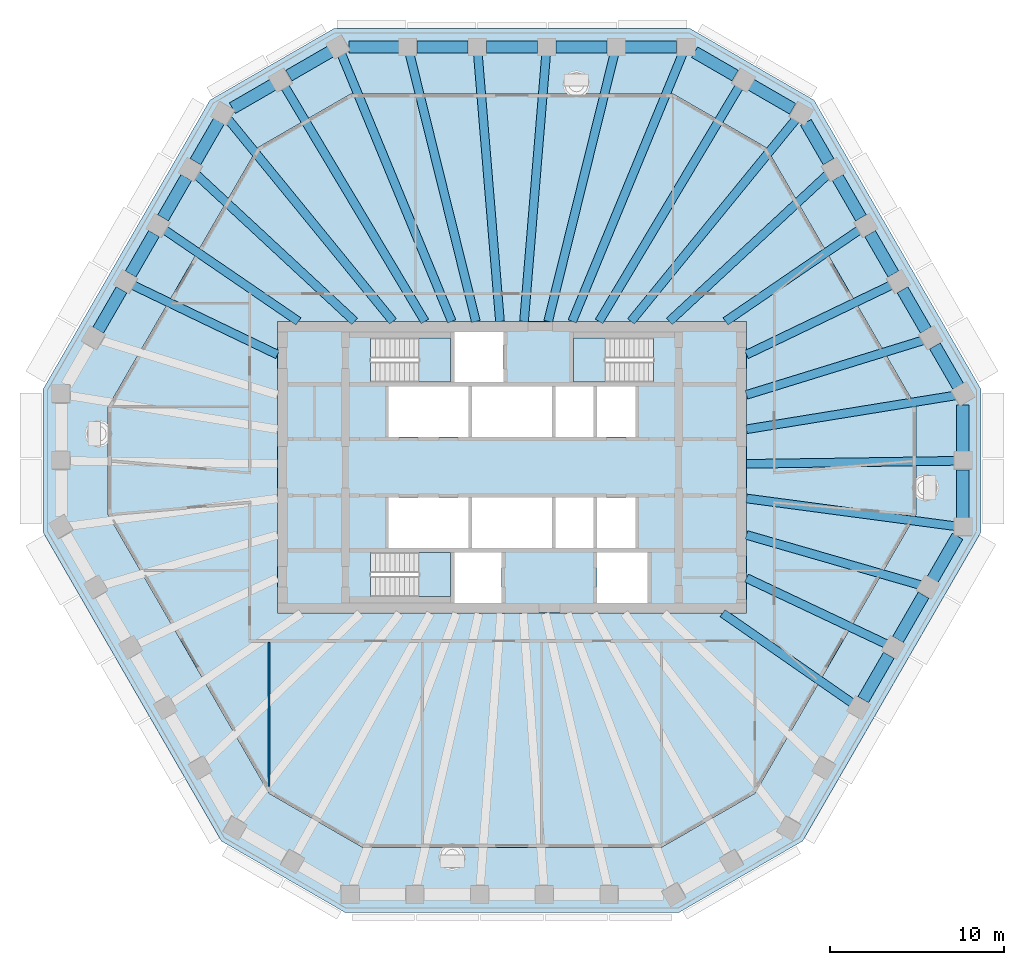
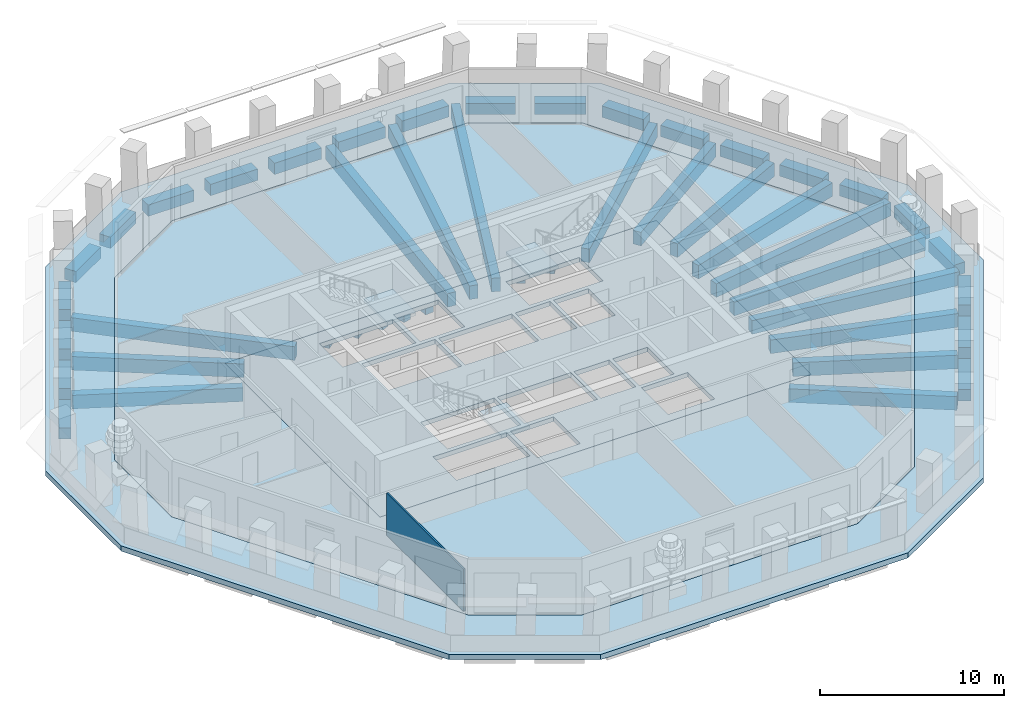
# One storey, part 2 of 12: 46 beams, 6 slabs, 1 wall, 3 elements without a shape of their own.
"""IFC4 building model written with IfcOpenShell, lengths in metres."""

from ifc_helpers import new_model, si_unit, direction, frame, frame_2d, origin, origin_2d, place, context, subcontext, project, spatial, polyline, rectangle, outline, extrude, material, layer, layer_set, material_profile, profile_set, type_object, element, aggregate, save


model = new_model("IFC4")

# Units and contexts
model_context = context("Model", 3, precision=1e-05, world=origin(), true_north=direction((0.0, 1.0)))
body_context = subcontext(model_context, "Body", "Model", "MODEL_VIEW")
ifc_project = project(units=[si_unit("LENGTHUNIT", "METRE"), si_unit("AREAUNIT", "SQUARE_METRE"), si_unit("VOLUMEUNIT", "CUBIC_METRE"), si_unit("PLANEANGLEUNIT", "RADIAN"), si_unit("MASSUNIT", "GRAM", prefix="KILO")], contexts=[model_context])

# Site, building, storey
site_placement = place(None, origin())
site = spatial("IfcSite", under=ifc_project, at=site_placement, CompositionType="ELEMENT")
building_placement = place(site_placement, origin())
building = spatial("IfcBuilding", under=site, at=building_placement, Name="Frailejon Research Tower", CompositionType="ELEMENT")
storey_placement = place(building_placement, frame((0.0, 0.0, 223.39990234375)))
storey = spatial("IfcBuildingStorey", under=building, at=storey_placement, Name="L48", CompositionType="ELEMENT", Elevation=223.39990234375)

# Beams
ifc_material_1 = material(Name="Concrete C60/75", Category="concrete")
ifc_material_profile_1 = material_profile(ifc_material_1, rectangle(XDim=0.5, YDim=0.89990234375, at=origin_2d()), Name="Girder 500x900")
ifc_profile_set_1 = profile_set([ifc_material_profile_1], Name="Concrete C60/75")
beam_type_1 = type_object("IfcBeamType", Name="Girder 500x900", PredefinedType="BEAM", material=ifc_profile_set_1)
beam_1_placement = place(storey_placement, frame((25.57568359375, -3.399658203125, -0.75), z_axis=(-0.991280157753, 0.131771198844, 0.0), x_axis=(-0.131771198844, -0.991280157753, 0.0)))
element("IfcBeam", 1, at=beam_1_placement, inside=storey, type_object=beam_type_1, Name="Girder 500x900", PredefinedType="BEAM", context=body_context, shape_type="SweptSolid", body=[
    extrude(rectangle(XDim=0.5, YDim=0.89990234375, at=origin_2d()), origin(), (0.0, 0.0, 1.0), 12.181884765625),
])
beam_2_placement = place(storey_placement, frame((25.5771484375, 0.37158203125, -0.75), z_axis=(-0.999894682249, -0.014512904946, 0.0), x_axis=(0.014512904946, -0.999894682249, 0.0)))
element("IfcBeam", 2, at=beam_2_placement, inside=storey, type_object=beam_type_1, Name="Girder 500x900", PredefinedType="BEAM", context=body_context, shape_type="SweptSolid", body=[
    extrude(rectangle(XDim=0.5, YDim=0.89990234375, at=origin_2d()), origin(), (0.0, 0.0, 1.0), 12.078369140625),
])
beam_3_placement = place(storey_placement, frame((25.5458984375, 4.137939453125, -0.75), z_axis=(-0.9871341691, -0.15989412808, 0.0), x_axis=(0.15989412808, -0.9871341691, 0.0)))
element("IfcBeam", 3, at=beam_3_placement, inside=storey, type_object=beam_type_1, Name="Girder 500x900", PredefinedType="BEAM", context=body_context, shape_type="SweptSolid", body=[
    extrude(rectangle(XDim=0.5, YDim=0.89990234375, at=origin_2d()), origin(), (0.0, 0.0, 1.0), 12.202880859375),
])
beam_4_placement = place(storey_placement, frame((23.7138671875, 7.322998046875, -0.75), z_axis=(-0.955480751245, -0.295053442617, 0.0), x_axis=(0.295053442617, -0.955480751245, 0.0)))
element("IfcBeam", 4, at=beam_4_placement, inside=storey, type_object=beam_type_1, Name="Girder 500x900", PredefinedType="BEAM", context=body_context, shape_type="SweptSolid", body=[
    extrude(rectangle(XDim=0.5, YDim=0.89990234375, at=origin_2d()), origin(), (0.0, 0.0, 1.0), 10.689697265625),
])
beam_5_placement = place(storey_placement, frame((21.87841796875, 10.508544921875, -0.75), z_axis=(-0.901416870957, -0.432952219943, 0.0), x_axis=(0.432952219943, -0.901416870957, 0.0)))
element("IfcBeam", 5, at=beam_5_placement, inside=storey, type_object=beam_type_1, Name="Girder 500x900", PredefinedType="BEAM", context=body_context, shape_type="SweptSolid", body=[
    extrude(rectangle(XDim=0.5, YDim=0.89990234375, at=origin_2d()), origin(), (0.0, 0.0, 1.0), 9.294677734375),
])
beam_6_placement = place(storey_placement, frame((20.0400390625, 13.693115234375, -0.75), z_axis=(-0.825658782767, -0.564169809933, 0.0), x_axis=(0.564169809933, -0.825658782767, 0.0)))
element("IfcBeam", 6, at=beam_6_placement, inside=storey, type_object=beam_type_1, Name="Girder 500x900", PredefinedType="BEAM", context=body_context, shape_type="SweptSolid", body=[
    extrude(rectangle(XDim=0.5, YDim=0.89990234375, at=origin_2d()), origin(), (0.0, 0.0, 1.0), 9.38232421875),
])
beam_7_placement = place(storey_placement, frame((18.198974609375, 16.875244140625, -0.75), z_axis=(-0.733270464991, -0.679937074421, 0.0), x_axis=(0.679937074421, -0.733270464991, 0.0)))
element("IfcBeam", 7, at=beam_7_placement, inside=storey, type_object=beam_type_1, Name="Girder 500x900", PredefinedType="BEAM", context=body_context, shape_type="SweptSolid", body=[
    extrude(rectangle(XDim=0.5, YDim=0.89990234375, at=origin_2d()), origin(), (0.0, 0.0, 1.0), 12.46484375),
])
beam_8_placement = place(storey_placement, frame((16.37548828125, 20.077392578125, -0.75), z_axis=(-0.632048647707, -0.774928710871, 0.0), x_axis=(0.774928710871, -0.632048647707, 0.0)))
element("IfcBeam", 8, at=beam_8_placement, inside=storey, type_object=beam_type_1, Name="Girder 500x900", PredefinedType="BEAM", context=body_context, shape_type="SweptSolid", body=[
    extrude(rectangle(XDim=0.5, YDim=0.89990234375, at=origin_2d()), origin(), (0.0, 0.0, 1.0), 15.069091796875),
])
beam_9_placement = place(storey_placement, frame((13.110595703125, 21.964599609375, -0.75), z_axis=(-0.512533051632, -0.858667497338, 0.0), x_axis=(0.858667497338, -0.512533051632, 0.0)))
element("IfcBeam", 9, at=beam_9_placement, inside=storey, type_object=beam_type_1, Name="Girder 500x900", PredefinedType="BEAM", context=body_context, shape_type="SweptSolid", body=[
    extrude(rectangle(XDim=0.5, YDim=0.89990234375, at=origin_2d()), origin(), (0.0, 0.0, 1.0), 15.79736328125),
])
beam_10_placement = place(storey_placement, frame((9.8291015625, 23.813720703125, -0.75), z_axis=(-0.381528759738, -0.92435696865, 0.0), x_axis=(0.92435696865, -0.381528759738, 0.0)))
element("IfcBeam", 10, at=beam_10_placement, inside=storey, type_object=beam_type_1, Name="Girder 500x900", PredefinedType="BEAM", context=body_context, shape_type="SweptSolid", body=[
    extrude(rectangle(XDim=0.5, YDim=0.89990234375, at=origin_2d()), origin(), (0.0, 0.0, 1.0), 16.67529296875),
])
beam_11_placement = place(storey_placement, frame((5.899169921875, 23.820556640625, -0.75), z_axis=(-0.240383532983, -0.970677988352, 0.0), x_axis=(0.970677988352, -0.240383532983, 0.0)))
element("IfcBeam", 11, at=beam_11_placement, inside=storey, type_object=beam_type_1, Name="Girder 500x900", PredefinedType="BEAM", context=body_context, shape_type="SweptSolid", body=[
    extrude(rectangle(XDim=0.5, YDim=0.89990234375, at=origin_2d()), origin(), (0.0, 0.0, 1.0), 15.886474609375),
])
for number, where, z_axis, x_axis, name in (
    (12, (1.966796875, 23.824462890625, -0.75), (-0.082279146977, -0.99660932264, 0.0), (0.99660932264, -0.082279146977, 0.0), "Girder 500x900"),
    (13, (-1.966796875, 23.824462890625, -0.75), (0.082279146977, -0.99660932264, 0.0), (0.99660932264, 0.082279146977, 0.0), "Girder 500x900"),
):
    element("IfcBeam", number, at=place(storey_placement, frame(where, z_axis=z_axis, x_axis=x_axis)), inside=storey, type_object=beam_type_1, Name=name, PredefinedType="BEAM", context=body_context, shape_type="SweptSolid", body=[
        extrude(rectangle(XDim=0.5, YDim=0.89990234375, at=origin_2d()), origin(), (0.0, 0.0, 1.0), 15.47705078125),
    ])
beam_12_placement = place(storey_placement, frame((-5.899169921875, 23.820556640625, -0.75), z_axis=(0.240383532983, -0.970677988352, 0.0), x_axis=(0.970677988352, 0.240383532983, 0.0)))
element("IfcBeam", 14, at=beam_12_placement, inside=storey, type_object=beam_type_1, Name="Girder 500x900", PredefinedType="BEAM", context=body_context, shape_type="SweptSolid", body=[
    extrude(rectangle(XDim=0.5, YDim=0.89990234375, at=origin_2d()), origin(), (0.0, 0.0, 1.0), 15.886474609375),
])
beam_13_placement = place(storey_placement, frame((-9.84375, 23.84912109375, -0.75), z_axis=(0.381530646677, -0.924356189813, 0.0), x_axis=(0.924356189813, 0.381530646677, 0.0)))
element("IfcBeam", 15, at=beam_13_placement, inside=storey, type_object=beam_type_1, Name="Girder 500x900", PredefinedType="BEAM", context=body_context, shape_type="SweptSolid", body=[
    extrude(rectangle(XDim=0.5, YDim=0.89990234375, at=origin_2d()), origin(), (0.0, 0.0, 1.0), 16.71337890625),
])
beam_14_placement = place(storey_placement, frame((-13.110595703125, 21.964599609375, -0.75), z_axis=(0.512533051632, -0.858667497338, 0.0), x_axis=(0.858667497338, 0.512533051632, 0.0)))
element("IfcBeam", 16, at=beam_14_placement, inside=storey, type_object=beam_type_1, Name="Girder 500x900", PredefinedType="BEAM", context=body_context, shape_type="SweptSolid", body=[
    extrude(rectangle(XDim=0.5, YDim=0.89990234375, at=origin_2d()), origin(), (0.0, 0.0, 1.0), 15.79736328125),
])
beam_15_placement = place(storey_placement, frame((-16.356689453125, 20.05419921875, -0.75), z_axis=(0.632053366531, -0.774924862071, 0.0), x_axis=(0.774924862071, 0.632053366531, 0.0)))
element("IfcBeam", 17, at=beam_15_placement, inside=storey, type_object=beam_type_1, Name="Girder 500x900", PredefinedType="BEAM", context=body_context, shape_type="SweptSolid", body=[
    extrude(rectangle(XDim=0.5, YDim=0.89990234375, at=origin_2d()), origin(), (0.0, 0.0, 1.0), 15.039306640625),
])
beam_16_placement = place(storey_placement, frame((-18.198974609375, 16.875244140625, -0.75), z_axis=(0.733270464991, -0.679937074421, 0.0), x_axis=(0.679937074421, 0.733270464991, 0.0)))
element("IfcBeam", 18, at=beam_16_placement, inside=storey, type_object=beam_type_1, Name="Girder 500x900", PredefinedType="BEAM", context=body_context, shape_type="SweptSolid", body=[
    extrude(rectangle(XDim=0.5, YDim=0.89990234375, at=origin_2d()), origin(), (0.0, 0.0, 1.0), 12.46484375),
])
beam_17_placement = place(storey_placement, frame((-20.0400390625, 13.693115234375, -0.75), z_axis=(0.825658782767, -0.564169809933, 0.0), x_axis=(0.564169809933, 0.825658782767, 0.0)))
element("IfcBeam", 19, at=beam_17_placement, inside=storey, type_object=beam_type_1, Name="Girder 500x900", PredefinedType="BEAM", context=body_context, shape_type="SweptSolid", body=[
    extrude(rectangle(XDim=0.5, YDim=0.89990234375, at=origin_2d()), origin(), (0.0, 0.0, 1.0), 9.38232421875),
])
beam_18_placement = place(storey_placement, frame((-21.87841796875, 10.508544921875, -0.75), z_axis=(0.901416870957, -0.432952219943, 0.0), x_axis=(0.432952219943, 0.901416870957, 0.0)))
element("IfcBeam", 20, at=beam_18_placement, inside=storey, type_object=beam_type_1, Name="Girder 500x900", PredefinedType="BEAM", context=body_context, shape_type="SweptSolid", body=[
    extrude(rectangle(XDim=0.5, YDim=0.89990234375, at=origin_2d()), origin(), (0.0, 0.0, 1.0), 9.294677734375),
])
beam_19_placement = place(storey_placement, frame((19.6494140625, -13.615478515625, -0.75), z_axis=(-0.82195313157, 0.569555132979, 0.0), x_axis=(-0.569555132979, -0.82195313157, 0.0)))
element("IfcBeam", 21, at=beam_19_placement, inside=storey, type_object=beam_type_1, Name="Girder 500x900", PredefinedType="BEAM", context=body_context, shape_type="SweptSolid", body=[
    extrude(rectangle(XDim=0.5, YDim=0.89990234375, at=origin_2d()), origin(), (0.0, 0.0, 1.0), 9.1572265625),
])
beam_20_placement = place(storey_placement, frame((21.615966796875, -10.208984375, -0.75), z_axis=(-0.904228515604, 0.427048933459, 0.0), x_axis=(-0.427048933459, -0.904228515604, 0.0)))
element("IfcBeam", 22, at=beam_20_placement, inside=storey, type_object=beam_type_1, Name="Girder 500x900", PredefinedType="BEAM", context=body_context, shape_type="SweptSolid", body=[
    extrude(rectangle(XDim=0.5, YDim=0.89990234375, at=origin_2d()), origin(), (0.0, 0.0, 1.0), 8.9755859375),
])
beam_21_placement = place(storey_placement, frame((23.578857421875, -6.801513671875, -0.75), z_axis=(-0.960827047664, 0.277148668546, 0.0), x_axis=(-0.277148668546, -0.960827047664, 0.0)))
element("IfcBeam", 23, at=beam_21_placement, inside=storey, type_object=beam_type_1, Name="Girder 500x900", PredefinedType="BEAM", context=body_context, shape_type="SweptSolid", body=[
    extrude(rectangle(XDim=0.5, YDim=0.89990234375, at=origin_2d()), origin(), (0.0, 0.0, 1.0), 10.48974609375),
])
ifc_material_2 = material(Name="Concrete C60/75", Category="concrete")
ifc_material_profile_2 = material_profile(ifc_material_2, rectangle(XDim=0.699951171875, YDim=0.75, at=origin_2d()), Name="Spandrel 700x750")
ifc_profile_set_2 = profile_set([ifc_material_profile_2], Name="Concrete C60/75")
beam_type_2 = type_object("IfcBeamType", Name="Spandrel 700x750", PredefinedType="BEAM", material=ifc_profile_set_2)
beam_22_placement = place(storey_placement, frame((25.9521484375, -2.924560546875, -0.724853515625), z_axis=(0.0, 1.0, 0.0), x_axis=(-1.0, 0.0, 0.0)))
element("IfcBeam", 24, at=beam_22_placement, inside=storey, type_object=beam_type_2, Name="Spandrel 700x750", PredefinedType="BEAM", context=body_context, shape_type="SweptSolid", body=[
    extrude(rectangle(XDim=0.699951171875, YDim=0.75, at=origin_2d()), origin(), (0.0, 0.0, 1.0), 2.776611328125),
])
beam_23_placement = place(storey_placement, frame((25.9521484375, 0.902099609375, -0.724853515625), z_axis=(0.0, 1.0, 0.0), x_axis=(-1.0, 0.0, 0.0)))
element("IfcBeam", 25, at=beam_23_placement, inside=storey, type_object=beam_type_2, Name="Spandrel 700x750", PredefinedType="BEAM", context=body_context, shape_type="SweptSolid", body=[
    extrude(rectangle(XDim=0.699951171875, YDim=0.75, at=origin_2d()), origin(), (0.0, 0.0, 1.0), 2.695556640625),
])
for number, where, z_axis, x_axis, name in (
    (26, (25.689697265625, 4.658447265625, -0.724853515625), (-0.500071494993, 0.865984122196, 0.0), (-0.865984122196, -0.500071494993, 0.0), "Spandrel 700x750"),
    (27, (23.822509765625, 7.892333984375, -0.724853515625), (-0.500003280469, 0.866023509796, 0.0), (-0.866023509796, -0.500003280469, 0.0), "Spandrel 700x750"),
    (28, (21.955322265625, 11.126220703125, -0.724853515625), (-0.500003280469, 0.866023509796, 0.0), (-0.866023509796, -0.500003280469, 0.0), "Spandrel 700x750"),
):
    element("IfcBeam", number, at=place(storey_placement, frame(where, z_axis=z_axis, x_axis=x_axis)), inside=storey, type_object=beam_type_2, Name=name, PredefinedType="BEAM", context=body_context, shape_type="SweptSolid", body=[
        extrude(rectangle(XDim=0.699951171875, YDim=0.75, at=origin_2d()), origin(), (0.0, 0.0, 1.0), 2.68408203125),
    ])
beam_24_placement = place(storey_placement, frame((20.08837890625, 14.360107421875, -0.724853515625), z_axis=(-0.49996389635, 0.866046247233, 0.0), x_axis=(-0.866046247233, -0.49996389635, 0.0)))
element("IfcBeam", 29, at=beam_24_placement, inside=storey, type_object=beam_type_2, Name="Spandrel 700x750", PredefinedType="BEAM", context=body_context, shape_type="SweptSolid", body=[
    extrude(rectangle(XDim=0.699951171875, YDim=0.75, at=origin_2d()), origin(), (0.0, 0.0, 1.0), 2.684326171875),
])
beam_25_placement = place(storey_placement, frame((18.22119140625, 17.593994140625, -0.724853515625), z_axis=(-0.499911899498, 0.866076262658, 0.0), x_axis=(-0.866076262658, -0.499911899498, 0.0)))
element("IfcBeam", 30, at=beam_25_placement, inside=storey, type_object=beam_type_2, Name="Spandrel 700x750", PredefinedType="BEAM", context=body_context, shape_type="SweptSolid", body=[
    extrude(rectangle(XDim=0.699951171875, YDim=0.75, at=origin_2d()), origin(), (0.0, 0.0, 1.0), 2.60302734375),
])
beam_26_placement = place(storey_placement, frame((16.162109375, 20.6357421875, -0.724853515625), z_axis=(-0.866021602438, 0.500006584067, 0.0), x_axis=(-0.500006584067, -0.866021602438, 0.0)))
element("IfcBeam", 31, at=beam_26_placement, inside=storey, type_object=beam_type_2, Name="Spandrel 700x750", PredefinedType="BEAM", context=body_context, shape_type="SweptSolid", body=[
    extrude(rectangle(XDim=0.699951171875, YDim=0.75, at=origin_2d()), origin(), (0.0, 0.0, 1.0), 2.77685546875),
])
beam_27_placement = place(storey_placement, frame((12.847900390625, 22.549072265625, -0.724853515625), z_axis=(-0.86598798235, 0.500064810224, 0.0), x_axis=(-0.500064810224, -0.86598798235, 0.0)))
element("IfcBeam", 32, at=beam_27_placement, inside=storey, type_object=beam_type_2, Name="Spandrel 700x750", PredefinedType="BEAM", context=body_context, shape_type="SweptSolid", body=[
    extrude(rectangle(XDim=0.699951171875, YDim=0.75, at=origin_2d()), origin(), (0.0, 0.0, 1.0), 2.695556640625),
])
beam_28_placement = place(storey_placement, frame((9.463623046875, 24.199951171875, -0.724853515625), z_axis=(-1.0, 0.0, 0.0), x_axis=(0.0, -1.0, 0.0)))
element("IfcBeam", 33, at=beam_28_placement, inside=storey, type_object=beam_type_2, Name="Spandrel 700x750", PredefinedType="BEAM", context=body_context, shape_type="SweptSolid", body=[
    extrude(rectangle(XDim=0.699951171875, YDim=0.75, at=origin_2d()), origin(), (0.0, 0.0, 1.0), 2.9453125),
])
beam_29_placement = place(storey_placement, frame((5.46826171875, 24.199951171875, -0.724853515625), z_axis=(-1.0, 0.0, 0.0), x_axis=(0.0, -1.0, 0.0)))
element("IfcBeam", 34, at=beam_29_placement, inside=storey, type_object=beam_type_2, Name="Spandrel 700x750", PredefinedType="BEAM", context=body_context, shape_type="SweptSolid", body=[
    extrude(rectangle(XDim=0.699951171875, YDim=0.75, at=origin_2d()), origin(), (0.0, 0.0, 1.0), 2.945556640625),
])
beam_30_placement = place(storey_placement, frame((1.47265625, 24.199951171875, -0.724853515625), z_axis=(-1.0, 0.0, 0.0), x_axis=(0.0, -1.0, 0.0)))
element("IfcBeam", 35, at=beam_30_placement, inside=storey, type_object=beam_type_2, Name="Spandrel 700x750", PredefinedType="BEAM", context=body_context, shape_type="SweptSolid", body=[
    extrude(rectangle(XDim=0.699951171875, YDim=0.75, at=origin_2d()), origin(), (0.0, 0.0, 1.0), 2.9453125),
])
beam_31_placement = place(storey_placement, frame((-2.522705078125, 24.199951171875, -0.724853515625), z_axis=(-1.0, 0.0, 0.0), x_axis=(0.0, -1.0, 0.0)))
element("IfcBeam", 36, at=beam_31_placement, inside=storey, type_object=beam_type_2, Name="Spandrel 700x750", PredefinedType="BEAM", context=body_context, shape_type="SweptSolid", body=[
    extrude(rectangle(XDim=0.699951171875, YDim=0.75, at=origin_2d()), origin(), (0.0, 0.0, 1.0), 2.945556640625),
])
beam_32_placement = place(storey_placement, frame((-6.518310546875, 24.199951171875, -0.724853515625), z_axis=(-1.0, 0.0, 0.0), x_axis=(0.0, -1.0, 0.0)))
element("IfcBeam", 37, at=beam_32_placement, inside=storey, type_object=beam_type_2, Name="Spandrel 700x750", PredefinedType="BEAM", context=body_context, shape_type="SweptSolid", body=[
    extrude(rectangle(XDim=0.699951171875, YDim=0.75, at=origin_2d()), origin(), (0.0, 0.0, 1.0), 2.864013671875),
])
beam_33_placement = place(storey_placement, frame((-10.443359375, 23.9375, -0.724853515625), z_axis=(-0.865999619105, -0.500044657716, 0.0), x_axis=(0.500044657716, -0.865999619105, 0.0)))
element("IfcBeam", 38, at=beam_33_placement, inside=storey, type_object=beam_type_2, Name="Spandrel 700x750", PredefinedType="BEAM", context=body_context, shape_type="SweptSolid", body=[
    extrude(rectangle(XDim=0.699951171875, YDim=0.75, at=origin_2d()), origin(), (0.0, 0.0, 1.0), 2.776611328125),
])
beam_34_placement = place(storey_placement, frame((-13.75732421875, 22.024169921875, -0.724853515625), z_axis=(-0.866049846835, -0.499957661005, 0.0), x_axis=(0.499957661005, -0.866049846835, 0.0)))
element("IfcBeam", 39, at=beam_34_placement, inside=storey, type_object=beam_type_2, Name="Spandrel 700x750", PredefinedType="BEAM", context=body_context, shape_type="SweptSolid", body=[
    extrude(rectangle(XDim=0.699951171875, YDim=0.75, at=origin_2d()), origin(), (0.0, 0.0, 1.0), 2.695556640625),
])
for number, where, z_axis, x_axis, name in (
    (40, (-16.879150390625, 19.918701171875, -0.724853515625), (-0.49996389635, -0.866046247233, 0.0), (0.866046247233, -0.49996389635, 0.0), "Spandrel 700x750"),
    (41, (-18.746337890625, 16.684814453125, -0.724853515625), (-0.49996389635, -0.866046247233, 0.0), (0.866046247233, -0.49996389635, 0.0), "Spandrel 700x750"),
):
    element("IfcBeam", number, at=place(storey_placement, frame(where, z_axis=z_axis, x_axis=x_axis)), inside=storey, type_object=beam_type_2, Name=name, PredefinedType="BEAM", context=body_context, shape_type="SweptSolid", body=[
        extrude(rectangle(XDim=0.699951171875, YDim=0.75, at=origin_2d()), origin(), (0.0, 0.0, 1.0), 2.684326171875),
    ])
for number, where, z_axis, x_axis, name in (
    (42, (-20.61328125, 13.45068359375, -0.724853515625), (-0.500003280469, -0.866023509796, 0.0), (0.866023509796, -0.500003280469, 0.0), "Spandrel 700x750"),
    (43, (-22.48046875, 10.216796875, -0.724853515625), (-0.500003280469, -0.866023509796, 0.0), (0.866023509796, -0.500003280469, 0.0), "Spandrel 700x750"),
):
    element("IfcBeam", number, at=place(storey_placement, frame(where, z_axis=z_axis, x_axis=x_axis)), inside=storey, type_object=beam_type_2, Name=name, PredefinedType="BEAM", context=body_context, shape_type="SweptSolid", body=[
        extrude(rectangle(XDim=0.699951171875, YDim=0.75, at=origin_2d()), origin(), (0.0, 0.0, 1.0), 2.68408203125),
    ])
for number, where, z_axis, x_axis, name in (
    (44, (20.221435546875, -13.37548828125, -0.724853515625), (0.499990325971, 0.866030989016, 0.0), (-0.866030989016, 0.499990325971, 0.0), "Spandrel 700x750"),
    (45, (22.21923828125, -9.915283203125, -0.724853515625), (0.499990325971, 0.866030989016, 0.0), (-0.866030989016, 0.499990325971, 0.0), "Spandrel 700x750"),
):
    element("IfcBeam", number, at=place(storey_placement, frame(where, z_axis=z_axis, x_axis=x_axis)), inside=storey, type_object=beam_type_2, Name=name, PredefinedType="BEAM", context=body_context, shape_type="SweptSolid", body=[
        extrude(rectangle(XDim=0.699951171875, YDim=0.75, at=origin_2d()), origin(), (0.0, 0.0, 1.0), 2.9453125),
    ])
beam_35_placement = place(storey_placement, frame((24.216796875, -6.455078125, -0.724853515625), z_axis=(0.500007752297, 0.866020927947, 0.0), x_axis=(-0.866020927947, 0.500007752297, 0.0)))
element("IfcBeam", 46, at=beam_35_placement, inside=storey, type_object=beam_type_2, Name="Spandrel 700x750", PredefinedType="BEAM", context=body_context, shape_type="SweptSolid", body=[
    extrude(rectangle(XDim=0.699951171875, YDim=0.75, at=origin_2d()), origin(), (0.0, 0.0, 1.0), 2.8642578125),
])

# Slabs
ifc_material_3 = material(Name="Concrete C60/75", Category="concrete")
ifc_layer_1 = layer(ifc_material_3, 0.300048828125)
ifc_layer_set_1 = layer_set([ifc_layer_1], Name="Core floor slab 300 C60/75")
slab_type_1 = type_object("IfcSlabType", Name="Core floor slab 300 C60/75", PredefinedType="FLOOR", material=ifc_layer_set_1)
slab_1_placement = place(storey_placement, frame((0.0, 0.0, -0.2998046875)))
element("IfcSlab", 47, at=slab_1_placement, inside=storey, type_object=slab_type_1, Name="Core floor slab", PredefinedType="FLOOR", context=body_context, shape_type="SweptSolid", body=[
    extrude(outline(polyline([(13.5, -8.39990234375), (13.5, 8.39990234375), (-13.5, 8.39990234375), (-13.5, -8.39990234375), (13.5, -8.39990234375)]), holes=[polyline([(-2.5, 1.75), (-2.5, 4.64990234375), (-7.10009765625, 4.64990234375), (-7.10009765625, 1.75), (-2.5, 1.75)]), polyline([(2.300048828125, 1.75), (2.300048828125, 4.64990234375), (-2.300048828125, 4.64990234375), (-2.300048828125, 1.75), (2.300048828125, 1.75)]), polyline([(4.699951171875, 1.75), (4.699951171875, 4.64990234375), (2.5, 4.64990234375), (2.5, 1.75), (4.699951171875, 1.75)]), polyline([(7.10009765625, 1.75), (7.10009765625, 4.64990234375), (4.89990234375, 4.64990234375), (4.89990234375, 1.75), (7.10009765625, 1.75)]), polyline([(-2.5, -4.64990234375), (-2.5, -1.75), (-7.10009765625, -1.75), (-7.10009765625, -4.64990234375), (-2.5, -4.64990234375)]), polyline([(2.300048828125, -4.64990234375), (2.300048828125, -1.75), (-2.300048828125, -1.75), (-2.300048828125, -4.64990234375), (2.300048828125, -4.64990234375)]), polyline([(4.699951171875, -4.64990234375), (4.699951171875, -1.75), (2.5, -1.75), (2.5, -4.64990234375), (4.699951171875, -4.64990234375)]), polyline([(7.10009765625, -4.64990234375), (7.10009765625, -1.75), (4.89990234375, -1.75), (4.89990234375, -4.64990234375), (7.10009765625, -4.64990234375)]), polyline([(-8.14697265625, 4.89990234375), (-3.550048828125, 4.89990234375), (-3.550048828125, 7.449951171875), (-8.14697265625, 7.449951171875), (-8.14697265625, 4.89990234375)]), polyline([(-8.14697265625, -7.449951171875), (-3.550048828125, -7.449951171875), (-3.550048828125, -4.89990234375), (-8.14697265625, -4.89990234375), (-8.14697265625, -7.449951171875)]), polyline([(8.14697265625, 7.449951171875), (3.550048828125, 7.449951171875), (3.550048828125, 4.89990234375), (8.14697265625, 4.89990234375), (8.14697265625, 7.449951171875)]), polyline([(-0.60009765625, -7.800048828125), (-0.60009765625, -4.89990234375), (-3.300048828125, -4.89990234375), (-3.300048828125, -7.800048828125), (-0.60009765625, -7.800048828125)]), polyline([(7.800048828125, -7.800048828125), (7.800048828125, -4.89990234375), (4.89990234375, -4.89990234375), (4.89990234375, -7.800048828125), (7.800048828125, -7.800048828125)]), polyline([(-0.5, 4.89990234375), (-0.5, 7.800048828125), (-3.300048828125, 7.800048828125), (-3.300048828125, 4.89990234375), (-0.5, 4.89990234375)])]), origin(), (0.0, 0.0, 1.0), 0.2998046875),
])
ifc_material_4 = material(Name="Concrete C40/50", Category="concrete")
ifc_layer_2 = layer(ifc_material_4, 0.35009765625)
ifc_layer_set_2 = layer_set([ifc_layer_2], Name="Loggia slab 350")
slab_type_2 = type_object("IfcSlabType", Name="Loggia slab 350", PredefinedType="USERDEFINED", material=ifc_layer_set_2)
slab_2_placement = place(storey_placement, frame((0.0, 0.0, -0.349853515625)))
element("IfcSlab", 48, at=slab_2_placement, inside=storey, type_object=slab_type_2, Name="Loggia slab L48", ObjectType="LOGGIA", PredefinedType="USERDEFINED", context=body_context, shape_type="SweptSolid", body=[
    extrude(outline(polyline([(16.732177734375, -21.51904296875), (9.61669921875, -25.627197265625), (-9.61669921875, -25.627197265625), (-16.732177734375, -21.51904296875), (-27.002197265625, -3.73095703125), (-27.002197265625, 4.485107421875), (-17.38525390625, 21.141845703125), (-10.27001953125, 25.25), (10.27001953125, 25.25), (17.38525390625, 21.141845703125), (27.002197265625, 4.485107421875), (27.002197265625, -3.73095703125), (16.732177734375, -21.51904296875)]), holes=[polyline([(23.252197265625, 3.48046875), (14.64013671875, 18.396728515625), (9.26513671875, 21.5), (-9.26513671875, 21.5), (-14.64013671875, 18.396728515625), (-23.252197265625, 3.48046875), (-23.252197265625, -2.72607421875), (-13.987060546875, -18.77392578125), (-8.612060546875, -21.877197265625), (8.612060546875, -21.877197265625), (13.987060546875, -18.77392578125), (23.252197265625, -2.72607421875), (23.252197265625, 3.48046875)])]), origin(), (0.0, 0.0, 1.0), 0.349853515625),
])
ifc_material_5 = material(Name="Concrete C40/50", Category="concrete")
ifc_layer_3 = layer(ifc_material_5, 0.300048828125)
ifc_layer_set_3 = layer_set([ifc_layer_3], Name="Slab typical 300")
slab_type_3 = type_object("IfcSlabType", Name="Slab typical 300", PredefinedType="FLOOR", material=ifc_layer_set_3)
slab_3_placement = place(storey_placement, frame((0.0, 0.0, -0.2998046875)))
element("IfcSlab", 49, at=slab_3_placement, inside=storey, type_object=slab_type_3, Name="Floor slab L48", PredefinedType="FLOOR", context=body_context, shape_type="SweptSolid", body=[
    extrude(outline(polyline([(23.252197265625, -2.72607421875), (23.252197265625, 3.48046875), (14.64013671875, 18.396728515625), (9.26513671875, 21.5), (-9.26513671875, 21.5), (-14.64013671875, 18.396728515625), (-23.252197265625, 3.48046875), (-23.252197265625, -2.72607421875), (-13.987060546875, -18.77392578125), (-8.612060546875, -21.877197265625), (8.612060546875, -21.877197265625), (13.987060546875, -18.77392578125), (23.252197265625, -2.72607421875)]), holes=[polyline([(13.5, -8.39990234375), (-13.5, -8.39990234375), (-13.5, 8.39990234375), (13.5, 8.39990234375), (13.5, -8.39990234375)])]), origin(), (0.0, 0.0, 1.0), 0.2998046875),
])

# Stair, slab
ifc_material_6 = material(Name="Concrete C50/60", Category="concrete")
stair_type = type_object("IfcStairType", Name="Exit stair 22 risers", PredefinedType="HALF_TURN_STAIR", material=ifc_material_6)
stair_1_placement = place(storey_placement, origin())
stair_1 = element("IfcStair", 50, at=stair_1_placement, inside=storey, type_object=stair_type, Name="L48 Exit stair ST1", PredefinedType="HALF_TURN_STAIR")
ifc_material_7 = material(Name="Concrete C50/60", Category="concrete")
ifc_layer_4 = layer(ifc_material_7, 0.199951171875)
ifc_layer_set_4 = layer_set([ifc_layer_4], Name="Stair landing slab 200")
slab_type_4 = type_object("IfcSlabType", Name="Stair landing slab 200", PredefinedType="LANDING", material=ifc_layer_set_4)
slab_4_placement = place(storey_placement, frame((0.0, 0.0, 1.800048828125)))
slab_4 = element("IfcSlab", 51, at=slab_4_placement, type_object=slab_type_4, Name="ST1 landing 1", PredefinedType="LANDING", context=body_context, shape_type="SweptSolid", body=[
    extrude(outline(polyline([(-5.35009765625, 4.89990234375), (-3.550048828125, 4.89990234375), (-3.550048828125, 7.449951171875), (-5.35009765625, 7.449951171875), (-5.35009765625, 4.89990234375)])), origin(), (0.0, 0.0, 1.0), 0.199951171875),
])
aggregate(stair_1, [slab_4])

stair_2_placement = place(storey_placement, origin())
stair_2 = element("IfcStair", 52, at=stair_2_placement, inside=storey, type_object=stair_type, Name="L48 Exit stair ST2", PredefinedType="HALF_TURN_STAIR")
slab_5_placement = place(storey_placement, frame((0.0, 0.0, 1.800048828125)))
slab_5 = element("IfcSlab", 53, at=slab_5_placement, type_object=slab_type_4, Name="ST2 landing 1", PredefinedType="LANDING", context=body_context, shape_type="SweptSolid", body=[
    extrude(outline(polyline([(-5.35009765625, -7.449951171875), (-3.550048828125, -7.449951171875), (-3.550048828125, -4.89990234375), (-5.35009765625, -4.89990234375), (-5.35009765625, -7.449951171875)])), origin(), (0.0, 0.0, 1.0), 0.199951171875),
])
aggregate(stair_2, [slab_5])

stair_3_placement = place(storey_placement, origin())
stair_3 = element("IfcStair", 54, at=stair_3_placement, inside=storey, type_object=stair_type, Name="L48 Exit stair ST3", PredefinedType="HALF_TURN_STAIR")
slab_6_placement = place(storey_placement, frame((0.0, 0.0, 1.800048828125)))
slab_6 = element("IfcSlab", 55, at=slab_6_placement, type_object=slab_type_4, Name="ST3 landing 1", PredefinedType="LANDING", context=body_context, shape_type="SweptSolid", body=[
    extrude(outline(polyline([(5.35009765625, 7.449951171875), (3.550048828125, 7.449951171875), (3.550048828125, 4.89990234375), (5.35009765625, 4.89990234375), (5.35009765625, 7.449951171875)])), origin(), (0.0, 0.0, 1.0), 0.199951171875),
])
aggregate(stair_3, [slab_6])

# Wall
ifc_material_8 = material(Name="Gypsum board and masonry partition", Category="masonry")
ifc_layer_5 = layer(ifc_material_8, 0.10009765625)
ifc_layer_set_5 = layer_set([ifc_layer_5], Name="Partition, gypsum on steel studs 100")
wall_type = type_object("IfcWallType", Name="Partition, gypsum on steel studs 100", PredefinedType="PARTITIONING", material=ifc_layer_set_5)
wall_placement = place(storey_placement, frame((-13.987060546875, -18.373779296875, 0.0), z_axis=(0.0, 0.0, 1.0), x_axis=(0.0, 1.0, 0.0)))
element("IfcWall", 56, at=wall_placement, inside=storey, type_object=wall_type, Name="T:IW:L48:020", PredefinedType="PARTITIONING", context=body_context, shape_type="SweptSolid", body=[
    extrude(rectangle(XDim=8.298828125, YDim=0.10009765625, at=frame_2d((4.1494140625, 0.0))), origin(), (0.0, 0.0, 1.0), 2.800048828125),
])

save(model, "model.ifc")
